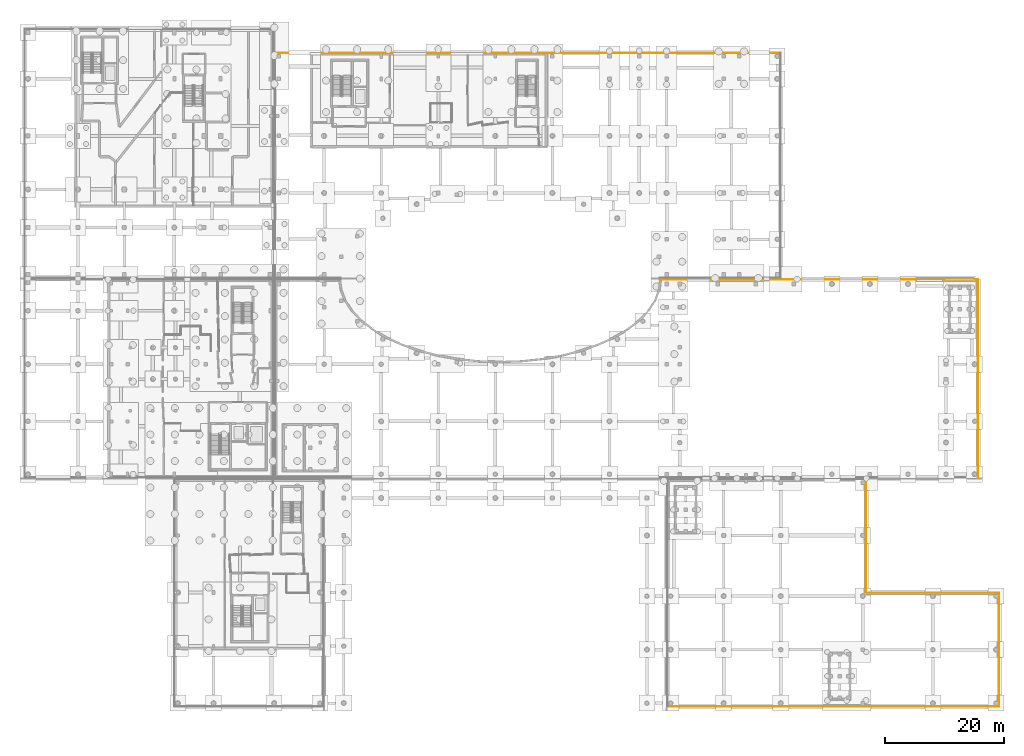
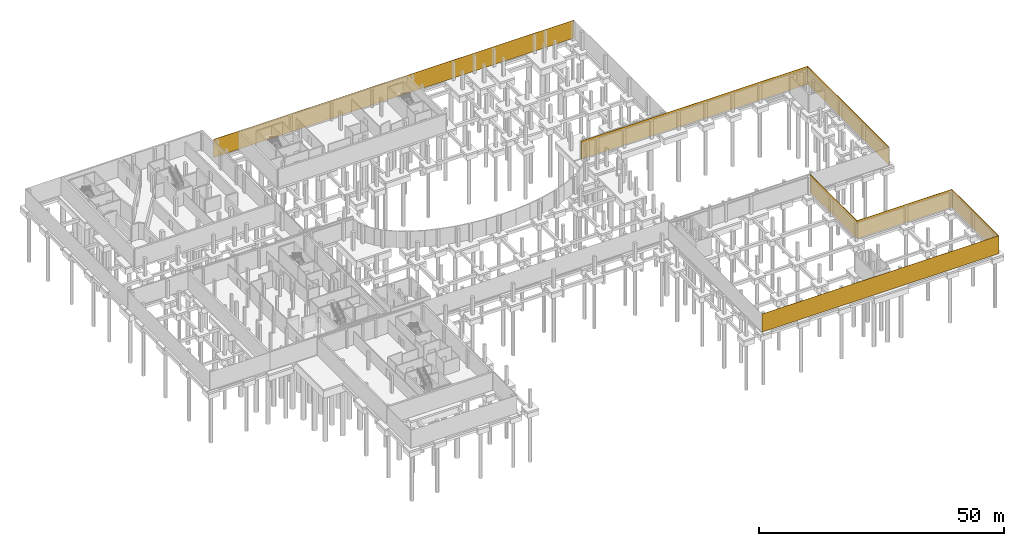
# One storey, part 39 of 40: 7 coverings.
"""IFC4 building model written with IfcOpenShell, lengths in metres."""

from ifc_helpers import new_model, si_unit, direction, frame, origin, origin_2d, place, context, subcontext, project, spatial, rectangle, extrude, material, layer, layer_set, type_object, element, save


model = new_model("IFC4")

# Units and contexts
model_context = context("Model", 3, precision=1e-05, world=origin(), true_north=direction((0.0, 1.0)))
body_context = subcontext(model_context, "Body", "Model", "MODEL_VIEW")
ifc_project = project(units=[si_unit("LENGTHUNIT", "METRE"), si_unit("AREAUNIT", "SQUARE_METRE"), si_unit("VOLUMEUNIT", "CUBIC_METRE"), si_unit("PLANEANGLEUNIT", "RADIAN"), si_unit("MASSUNIT", "GRAM", prefix="KILO")], contexts=[model_context])

# Site, building, storey
site_placement = place(None, origin())
site = spatial("IfcSite", under=ifc_project, at=site_placement, CompositionType="ELEMENT")
building_placement = place(site_placement, origin())
building = spatial("IfcBuilding", under=site, at=building_placement, Name="Mzevani Central Library", CompositionType="ELEMENT")
storey_placement = place(building_placement, frame((0.0, 0.0, -4.5)))
storey = spatial("IfcBuildingStorey", under=building, at=storey_placement, Name="B1", CompositionType="ELEMENT", Elevation=-4.5)

# Coverings
ifc_material = material(Name="Limestone ashlar cladding", Category="masonry")
ifc_layer = layer(ifc_material, 0.050048828125, Name="Limestone Ashlar Spandrel Cladding")
ifc_layer_set = layer_set([ifc_layer], Name="Limestone ashlar cladding")
covering_type = type_object("IfcCoveringType", Name="Limestone Ashlar Spandrel Cladding", PredefinedType="CLADDING", material=ifc_layer_set)
covering_1_placement = place(storey_placement, frame((164.360107421875, 59.199951171875, 0.0), z_axis=(0.0, 0.0, 1.0), x_axis=(0.0, -1.0, 0.0)))
element("IfcCovering", 1, at=covering_1_placement, inside=storey, type_object=covering_type, Name="B1 V1 Perimeter Plinth Cladding (1)", PredefinedType="CLADDING", context=body_context, shape_type="SweptSolid", body=[
    extrude(rectangle(XDim=33.320068359375, YDim=0.06005859375, at=origin_2d()), origin(), (0.0, 0.0, 1.0), 4.5),
])
covering_2_placement = place(storey_placement, frame((137.59130859375, 75.860107421875, 0.0), z_axis=(0.0, 0.0, 1.0), x_axis=(1.0, 0.0, 0.0)))
element("IfcCovering", 2, at=covering_2_placement, inside=storey, type_object=covering_type, Name="B1 V1 Perimeter Plinth Cladding (5)", PredefinedType="CLADDING", context=body_context, shape_type="SweptSolid", body=[
    extrude(rectangle(XDim=53.53759765625, YDim=0.06005859375, at=origin_2d()), origin(), (0.0, 0.0, 1.0), 4.5),
])
covering_3_placement = place(storey_placement, frame((88.64990234375, 113.9599609375, 0.0), z_axis=(0.0, 0.0, 1.0), x_axis=(1.0, 0.0, 0.0)))
element("IfcCovering", 3, at=covering_3_placement, inside=storey, type_object=covering_type, Name="B1 V3 Perimeter Plinth Cladding (44)", PredefinedType="CLADDING", context=body_context, shape_type="SweptSolid", body=[
    extrude(rectangle(XDim=85.02001953125, YDim=0.06005859375, at=origin_2d()), origin(), (0.0, 0.0, 1.0), 4.5),
])
covering_4_placement = place(storey_placement, frame((167.9599609375, 13.60009765625, 0.0), z_axis=(0.0, 0.0, 1.0), x_axis=(0.0, -1.0, 0.0)))
element("IfcCovering", 4, at=covering_4_placement, inside=storey, type_object=covering_type, Name="B1 V6 Perimeter Plinth Cladding (68)", PredefinedType="CLADDING", context=body_context, shape_type="SweptSolid", body=[
    extrude(rectangle(XDim=19.1201171875, YDim=0.06005859375, at=origin_2d()), origin(), (0.0, 0.0, 1.0), 4.5),
])
covering_5_placement = place(storey_placement, frame((140.050048828125, 4.0400390625, 0.0), z_axis=(0.0, 0.0, 1.0), x_axis=(-1.0, 0.0, 0.0)))
element("IfcCovering", 5, at=covering_5_placement, inside=storey, type_object=covering_type, Name="B1 V6 Perimeter Plinth Cladding (69)", PredefinedType="CLADDING", context=body_context, shape_type="SweptSolid", body=[
    extrude(rectangle(XDim=55.820068359375, YDim=0.06005859375, at=origin_2d()), origin(), (0.0, 0.0, 1.0), 4.5),
])
covering_6_placement = place(storey_placement, frame((145.56005859375, 32.72998046875, 0.0), z_axis=(0.0, 0.0, 1.0), x_axis=(0.0, -1.0, 0.0)))
element("IfcCovering", 6, at=covering_6_placement, inside=storey, type_object=covering_type, Name="B1 V6 Perimeter Plinth Cladding (72)", PredefinedType="CLADDING", context=body_context, shape_type="SweptSolid", body=[
    extrude(rectangle(XDim=19.06005859375, YDim=0.06005859375, at=origin_2d()), origin(), (0.0, 0.0, 1.0), 4.5),
])
covering_7_placement = place(storey_placement, frame((156.780029296875, 23.159912109375, 0.0), z_axis=(0.0, 0.0, 1.0), x_axis=(1.0, 0.0, 0.0)))
element("IfcCovering", 7, at=covering_7_placement, inside=storey, type_object=covering_type, Name="B1 V6 Perimeter Plinth Cladding (73)", PredefinedType="CLADDING", context=body_context, shape_type="SweptSolid", body=[
    extrude(rectangle(XDim=22.360107421875, YDim=0.06005859375, at=origin_2d()), origin(), (0.0, 0.0, 1.0), 4.5),
])

save(model, "model.ifc")
